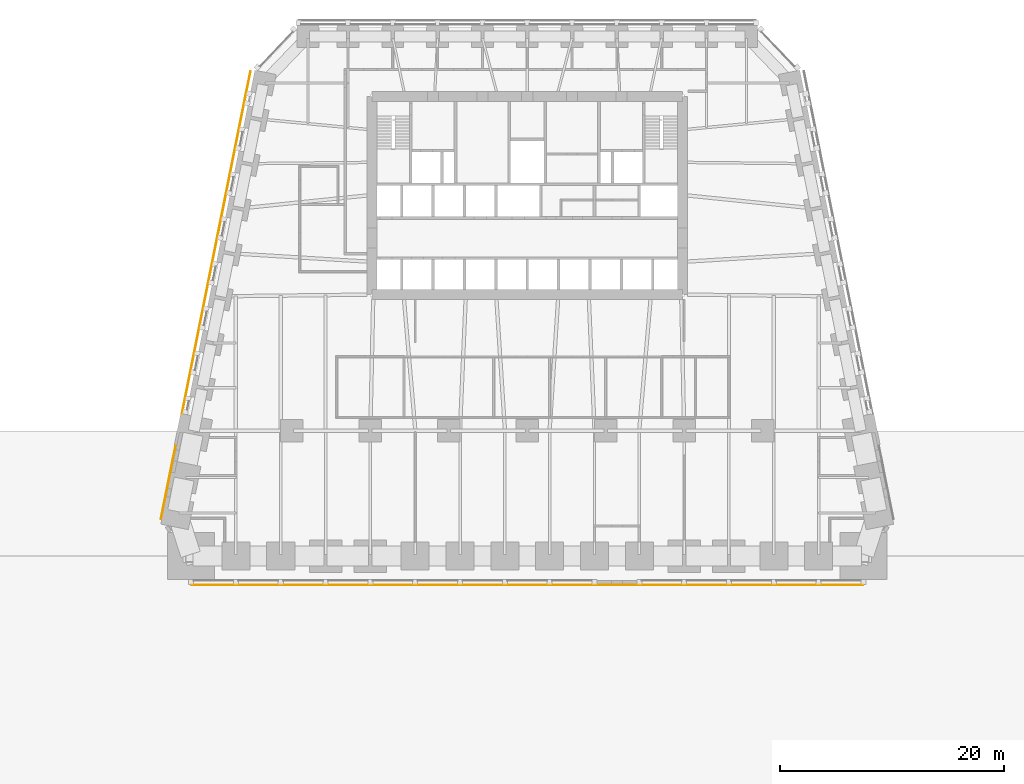
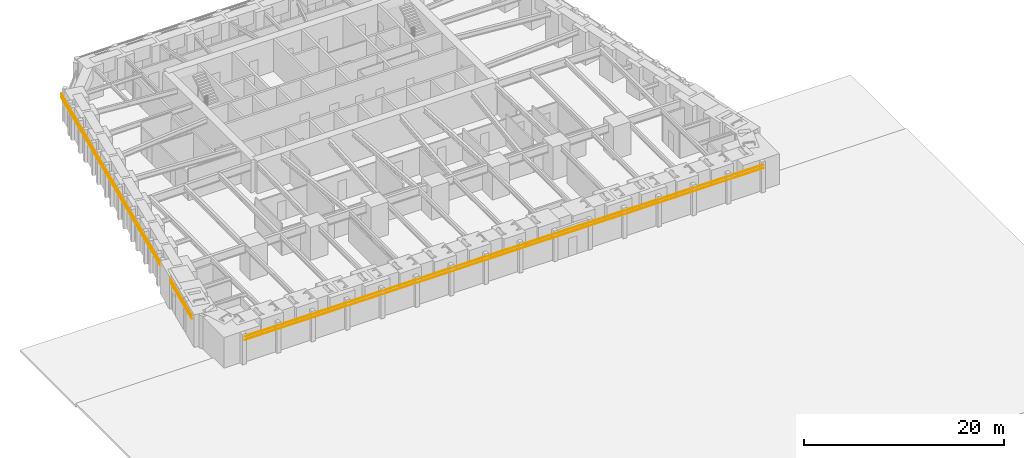
# One storey, part 16 of 18: 6 shading devices.
"""IFC4 building model written with IfcOpenShell, lengths in metres."""

from ifc_helpers import new_model, si_unit, direction, frame, origin, origin_2d, place, context, subcontext, project, spatial, rectangle, extrude, material, material_profile, profile_set, type_object, element, save


model = new_model("IFC4")

# Units and contexts
model_context = context("Model", 3, precision=1e-05, world=origin(), true_north=direction((0.0, 1.0)))
body_context = subcontext(model_context, "Body", "Model", "MODEL_VIEW")
ifc_project = project(units=[si_unit("LENGTHUNIT", "METRE"), si_unit("AREAUNIT", "SQUARE_METRE"), si_unit("VOLUMEUNIT", "CUBIC_METRE"), si_unit("PLANEANGLEUNIT", "RADIAN"), si_unit("MASSUNIT", "GRAM", prefix="KILO")], contexts=[model_context])

# Site, building, storey
site_placement = place(None, origin())
site = spatial("IfcSite", under=ifc_project, at=site_placement, CompositionType="ELEMENT")
building_placement = place(site_placement, origin())
building = spatial("IfcBuilding", under=site, at=building_placement, Name="Isbrekke Arena Tower", CompositionType="ELEMENT")
storey_placement = place(building_placement, frame((0.0, 0.0, 28.0)))
storey = spatial("IfcBuildingStorey", under=building, at=storey_placement, Name="L04", CompositionType="ELEMENT", Elevation=28.0)

# Shading devices
ifc_material = material(Name="Terracotta", Category="masonry")
ifc_material_profile = material_profile(ifc_material, rectangle(XDim=0.06005859375, YDim=0.06005859375, at=origin_2d()), Name="BAGUETTE 60X60")
ifc_profile_set = profile_set([ifc_material_profile], Name="Terracotta")
shading_device_type = type_object("IfcShadingDeviceType", Name="BG1 TERRACOTTA BAGUETTE 60 x 60", PredefinedType="USERDEFINED", material=ifc_profile_set)
for number, where, z_axis, x_axis, name in (
    (1, (-30.0, -19.7548828125, 3.280029296875), (1.0, 0.0, 0.0), (0.0, 1.0, 0.0), "BG1 terracotta baguette S1 L04"),
    (2, (-30.0, -19.7548828125, 3.679931640625), (1.0, 0.0, 0.0), (0.0, 1.0, 0.0), "BG1 terracotta baguette S2 L04"),
):
    element("IfcShadingDevice", number, at=place(storey_placement, frame(where, z_axis=z_axis, x_axis=x_axis)), inside=storey, type_object=shading_device_type, Name=name, ObjectType="TERRACOTTA BAGUETTE", PredefinedType="USERDEFINED", context=body_context, shape_type="SweptSolid", body=[
        extrude(rectangle(XDim=0.06005859375, YDim=0.06005859375, at=origin_2d()), origin(), (0.0, 0.0, 1.0), 60.0),
    ])
shading_device_1_placement = place(storey_placement, frame((-24.6953125, 26.09912109375, 3.280029296875), z_axis=(-0.196111618336, -0.98058157904, 0.0), x_axis=(0.98058157904, -0.196111618336, 0.0)))
element("IfcShadingDevice", 3, at=shading_device_1_placement, inside=storey, type_object=shading_device_type, Name="BG1 terracotta baguette W1 L04", ObjectType="TERRACOTTA BAGUETTE", PredefinedType="USERDEFINED", context=body_context, shape_type="SweptSolid", body=[
    extrude(rectangle(XDim=0.06005859375, YDim=0.06005859375, at=origin_2d()), origin(), (0.0, 0.0, 1.0), 31.18359375),
])
shading_device_2_placement = place(storey_placement, frame((-31.379638671875, -7.32275390625, 3.280029296875), z_axis=(-0.196123133832, -0.980579275926, 0.0), x_axis=(0.980579275926, -0.196123133832, 0.0)))
element("IfcShadingDevice", 4, at=shading_device_2_placement, inside=storey, type_object=shading_device_type, Name="BG1 terracotta baguette W1-2 L04", ObjectType="TERRACOTTA BAGUETTE", PredefinedType="USERDEFINED", context=body_context, shape_type="SweptSolid", body=[
    extrude(rectangle(XDim=0.06005859375, YDim=0.06005859375, at=origin_2d()), origin(), (0.0, 0.0, 1.0), 6.70849609375),
])
shading_device_3_placement = place(storey_placement, frame((-24.6953125, 26.09912109375, 3.679931640625), z_axis=(-0.196111618336, -0.98058157904, 0.0), x_axis=(0.98058157904, -0.196111618336, 0.0)))
element("IfcShadingDevice", 5, at=shading_device_3_placement, inside=storey, type_object=shading_device_type, Name="BG1 terracotta baguette W2 L04", ObjectType="TERRACOTTA BAGUETTE", PredefinedType="USERDEFINED", context=body_context, shape_type="SweptSolid", body=[
    extrude(rectangle(XDim=0.06005859375, YDim=0.06005859375, at=origin_2d()), origin(), (0.0, 0.0, 1.0), 31.18359375),
])
shading_device_4_placement = place(storey_placement, frame((-31.379638671875, -7.32275390625, 3.679931640625), z_axis=(-0.196123133832, -0.980579275926, 0.0), x_axis=(0.980579275926, -0.196123133832, 0.0)))
element("IfcShadingDevice", 6, at=shading_device_4_placement, inside=storey, type_object=shading_device_type, Name="BG1 terracotta baguette W2-2 L04", ObjectType="TERRACOTTA BAGUETTE", PredefinedType="USERDEFINED", context=body_context, shape_type="SweptSolid", body=[
    extrude(rectangle(XDim=0.06005859375, YDim=0.06005859375, at=origin_2d()), origin(), (0.0, 0.0, 1.0), 6.70849609375),
])

save(model, "model.ifc")
